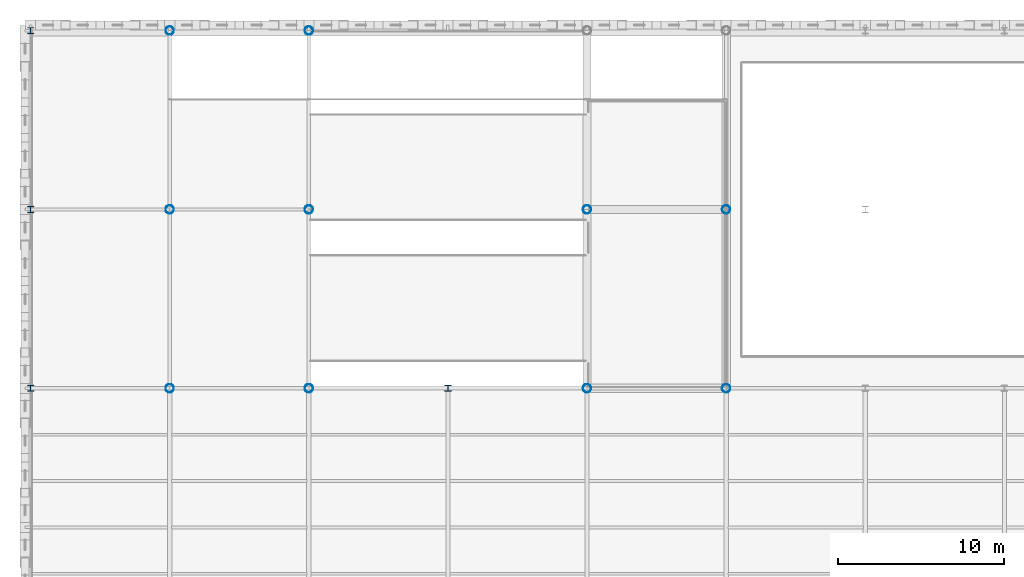
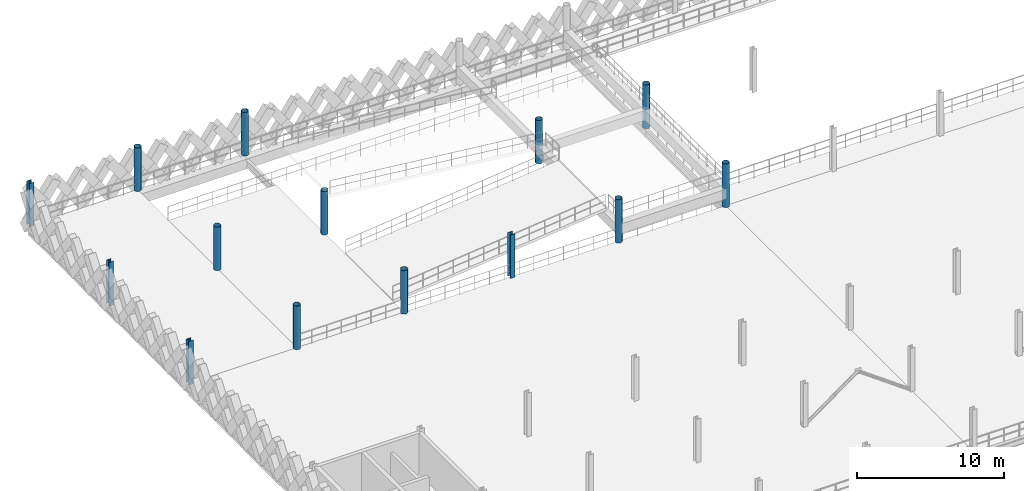
# One storey, part 10 of 74: 14 columns.
"""IFC4 building model written with IfcOpenShell, lengths in metres."""

from ifc_helpers import new_model, si_unit, direction, frame, origin, origin_2d, place, context, subcontext, project, spatial, hollow_circle, i_section, extrude, material, material_profile, profile_set, type_object, element, save


model = new_model("IFC4")

# Units and contexts
model_context = context("Model", 3, precision=1e-05, world=origin(), true_north=direction((0.0, 1.0)))
body_context = subcontext(model_context, "Body", "Model", "MODEL_VIEW")
ifc_project = project(units=[si_unit("LENGTHUNIT", "METRE"), si_unit("AREAUNIT", "SQUARE_METRE"), si_unit("VOLUMEUNIT", "CUBIC_METRE"), si_unit("PLANEANGLEUNIT", "RADIAN"), si_unit("MASSUNIT", "GRAM", prefix="KILO"), si_unit("THERMODYNAMICTEMPERATUREUNIT", "KELVIN"), si_unit("POWERUNIT", "WATT")], contexts=[model_context])

# Site, building, storey
site_placement = place(None, origin())
site = spatial("IfcSite", under=ifc_project, at=site_placement, CompositionType="ELEMENT")
building_placement = place(site_placement, origin())
building = spatial("IfcBuilding", under=site, at=building_placement, Name="Tembeka Court Mobility Hub", CompositionType="ELEMENT")
storey_placement = place(building_placement, frame((0.0, 0.0, 12.60009765625)))
storey = spatial("IfcBuildingStorey", under=building, at=storey_placement, Name="L03", CompositionType="ELEMENT", Elevation=12.60009765625)

# Columns
ifc_material = material(Name="Steel S355", Category="steel")
ifc_material_profile_1 = material_profile(ifc_material, i_section(OverallWidth=0.373046875, OverallDepth=0.367919921875, WebThickness=0.014404296875, FlangeThickness=0.023681640625, FilletRadius=0.01513671875, at=origin_2d()), Name="UKC 356x368x177")
ifc_profile_set_1 = profile_set([ifc_material_profile_1], Name="Steel S355")
column_type_1 = type_object("IfcColumnType", Name="COL-C03", PredefinedType="COLUMN", material=ifc_profile_set_1)
for number, where, z_axis, x_axis, name in (
    (1, (0.0, 97.199951171875, 0.0), (0.0, 0.0, 1.0), (1.0, 0.0, 0.0), "Column C03 (L03-010)"),
    (2, (0.0, 108.0, 0.0), (0.0, 0.0, 1.0), (1.0, 0.0, 0.0), "Column C03 (L03-011)"),
    (3, (0.0, 118.800048828125, 0.0), (0.0, 0.0, 1.0), (1.0, 0.0, 0.0), "Column C03 (L03-012)"),
    (4, (25.199951171875, 97.199951171875, 0.0), (0.0, 0.0, 1.0), (1.0, 0.0, 0.0), "Column C03 (L03-045)"),
):
    element("IfcColumn", number, at=place(storey_placement, frame(where, z_axis=z_axis, x_axis=x_axis)), inside=storey, type_object=column_type_1, Name=name, PredefinedType="COLUMN", context=body_context, shape_type="SweptSolid", body=[
        extrude(i_section(OverallWidth=0.373046875, OverallDepth=0.367919921875, WebThickness=0.014404296875, FlangeThickness=0.023681640625, FilletRadius=0.01513671875, at=origin_2d()), origin(), (0.0, 0.0, 1.0), 3.599853515625),
    ])
ifc_material_profile_2 = material_profile(ifc_material, hollow_circle(Radius=0.25390625, WallThickness=0.01611328125, at=origin_2d()), Name="CHS 508x16")
ifc_profile_set_2 = profile_set([ifc_material_profile_2], Name="Steel S355")
column_type_2 = type_object("IfcColumnType", Name="COL-C08", PredefinedType="COLUMN", material=ifc_profile_set_2)
for number, where, z_axis, x_axis, name in (
    (5, (8.39990234375, 97.199951171875, 0.0), (0.0, 0.0, 1.0), (1.0, 0.0, 0.0), "Column C08 (L03-022)"),
    (6, (8.39990234375, 108.0, 0.0), (0.0, 0.0, 1.0), (1.0, 0.0, 0.0), "Column C08 (L03-023)"),
    (7, (8.39990234375, 118.800048828125, 0.0), (0.0, 0.0, 1.0), (1.0, 0.0, 0.0), "Column C08 (L03-024)"),
    (8, (16.800048828125, 97.199951171875, 0.0), (0.0, 0.0, 1.0), (1.0, 0.0, 0.0), "Column C08 (L03-034)"),
    (9, (16.800048828125, 108.0, 0.0), (0.0, 0.0, 1.0), (1.0, 0.0, 0.0), "Column C08 (L03-035)"),
    (10, (16.800048828125, 118.800048828125, 0.0), (0.0, 0.0, 1.0), (1.0, 0.0, 0.0), "Column C08 (L03-036)"),
    (11, (33.60009765625, 97.199951171875, 0.0), (0.0, 0.0, 1.0), (1.0, 0.0, 0.0), "Column C08 (L03-056)"),
    (12, (33.60009765625, 108.0, 0.0), (0.0, 0.0, 1.0), (1.0, 0.0, 0.0), "Column C08 (L03-057)"),
    (13, (42.0, 97.199951171875, 0.0), (0.0, 0.0, 1.0), (1.0, 0.0, 0.0), "Column C08 (L03-068)"),
    (14, (42.0, 108.0, 0.0), (0.0, 0.0, 1.0), (1.0, 0.0, 0.0), "Column C08 (L03-069)"),
):
    element("IfcColumn", number, at=place(storey_placement, frame(where, z_axis=z_axis, x_axis=x_axis)), inside=storey, type_object=column_type_2, Name=name, PredefinedType="COLUMN", context=body_context, shape_type="SweptSolid", body=[
        extrude(hollow_circle(Radius=0.25390625, WallThickness=0.01611328125, at=origin_2d()), origin(), (0.0, 0.0, 1.0), 3.599853515625),
    ])

save(model, "model.ifc")
